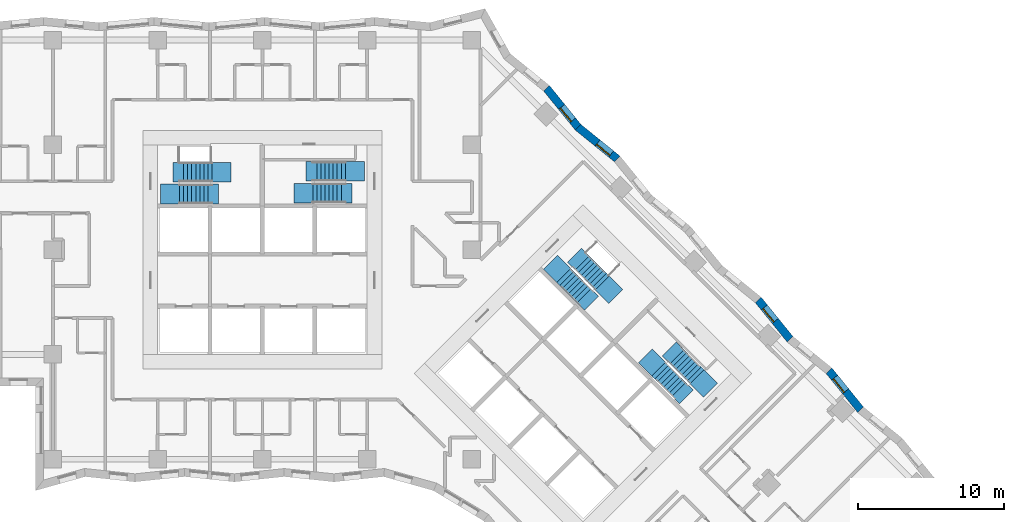
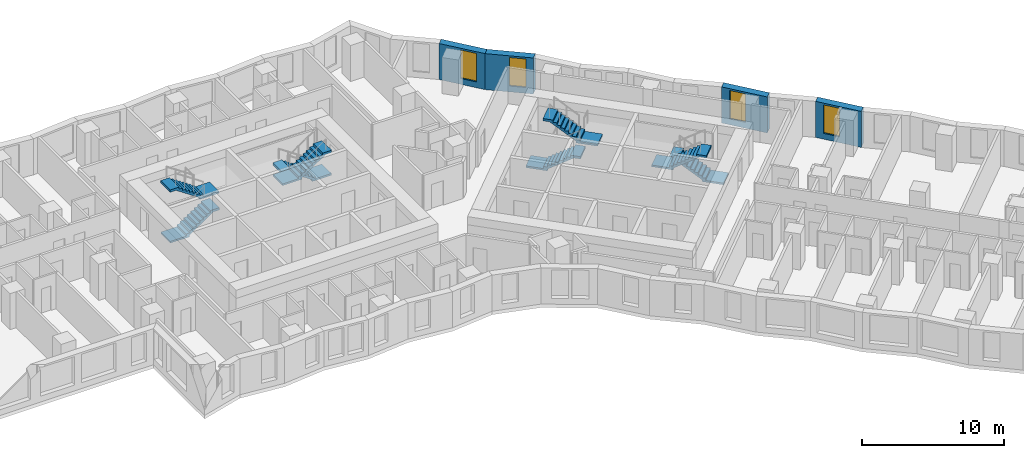
# One storey, part 11 of 13: 8 stair flights, 4 walls, 4 windows, 4 openings, 4 elements without a shape of their own.
"""IFC4 building model written with IfcOpenShell, lengths in metres."""

import ifcopenshell
import ifcopenshell.guid

model = None  # the IFC model being written
_history = None  # IfcOwnerHistory: only IFC2X3 demands one
_inside = {}  # id of a spatial element -> (the spatial element, [elements in it])
_under = {}  # id of a project, library or spatial element -> (it, [spatial elements below it])
_declared = {}  # id of a project -> (the project, [libraries it declares])
_typed = {}  # id of a type object -> (the type object, [elements of that type])
_made_of = {}  # id of a material, layer set ... -> (it, [elements and type objects made of it])


def new_model(schema):
    """Start an empty IFC model of exactly this schema.

    Asked for "IFC4X3", IfcOpenShell would pick the latest addendum, in which some entities
    have other attributes; the version numbers below select the first issue.
    IFC2X3 requires an IfcOwnerHistory on every rooted entity: one is made here for all.
    """
    global model, _history
    if schema == "IFC4X3":
        model = ifcopenshell.file(schema_version=(4, 3, 0, 0))
    else:
        model = ifcopenshell.file(schema=schema)
    _inside.clear()
    _under.clear()
    _declared.clear()
    _typed.clear()
    _made_of.clear()
    _history = None
    if model.schema == "IFC2X3":
        org = make("IfcOrganization", Name="unknown")
        user = make(
            "IfcPersonAndOrganization",
            ThePerson=make("IfcPerson", FamilyName="unknown"),
            TheOrganization=org,
        )
        app = make(
            "IfcApplication",
            ApplicationDeveloper=org,
            Version="unknown",
            ApplicationFullName="unknown",
            ApplicationIdentifier="unknown",
        )
        _history = make(
            "IfcOwnerHistory",
            OwningUser=user,
            OwningApplication=app,
            ChangeAction="ADDED",
            CreationDate=0,
        )
    return model


def make(cls, **values):
    """One entity of the class cls with the attributes given. An attribute that is None is left unset."""
    return model.create_entity(
        cls, **{name: value for name, value in values.items() if value is not None}
    )


def rooted(cls, **values):
    """An entity with a GlobalId (a new one), such as an element, a storey or a relation."""
    return make(cls, GlobalId=ifcopenshell.guid.new(), OwnerHistory=_history, **values)


def si_unit(unit_type, name, prefix=None):
    """IfcSIUnit, for example si_unit("LENGTHUNIT", "METRE", prefix="MILLI")."""
    return make("IfcSIUnit", UnitType=unit_type, Prefix=prefix, Name=name)


def assignment(units):
    """IfcUnitAssignment: the units of a project."""
    return None if units is None else make("IfcUnitAssignment", Units=units)


def point(xyz):
    """IfcCartesianPoint."""
    return None if xyz is None else make("IfcCartesianPoint", Coordinates=xyz)


def direction(xyz):
    """IfcDirection."""
    return None if xyz is None else make("IfcDirection", DirectionRatios=xyz)


def frame(location, z_axis=None, x_axis=None):
    """IfcAxis2Placement3D, a coordinate frame: its origin and axes. An axis left out is left unset."""
    return make(
        "IfcAxis2Placement3D",
        Location=point(location),
        Axis=direction(z_axis),
        RefDirection=direction(x_axis),
    )


def frame_2d(location, x_axis=None):
    """IfcAxis2Placement2D, a coordinate frame in the plane: its origin and x axis."""
    return make(
        "IfcAxis2Placement2D", Location=point(location), RefDirection=direction(x_axis)
    )


def origin():
    """The frame at (0, 0, 0) with its axes left unset."""
    return frame((0.0, 0.0, 0.0))


def place(relative_to, where):
    """IfcLocalPlacement: puts the frame where relative to a parent placement (None: the world)."""
    return make(
        "IfcLocalPlacement", PlacementRelTo=relative_to, RelativePlacement=where
    )


def context(
    kind, dimensions, precision=None, world=None, true_north=None, identifier=None
):
    """IfcGeometricRepresentationContext, for example the 3D "Model" context."""
    return make(
        "IfcGeometricRepresentationContext",
        ContextIdentifier=identifier,
        ContextType=kind,
        CoordinateSpaceDimension=dimensions,
        Precision=precision,
        WorldCoordinateSystem=world,
        TrueNorth=true_north,
    )


def subcontext(parent, identifier, kind, view, scale=None):
    """IfcGeometricRepresentationSubContext, for example "Body" below "Model"."""
    return make(
        "IfcGeometricRepresentationSubContext",
        ContextIdentifier=identifier,
        ContextType=kind,
        ParentContext=parent,
        TargetScale=scale,
        TargetView=view,
    )


def project(units=None, contexts=None):
    """IfcProject with its units and contexts."""
    return rooted(
        "IfcProject",
        Name="project",
        RepresentationContexts=contexts,
        UnitsInContext=assignment(units),
    )


def spatial(cls, under=None, at=None, **own):
    """A site, building, storey or space (cls), placed at a placement, below another one or the project."""
    s = rooted(cls, ObjectPlacement=at, **own)
    if under is not None:
        _under.setdefault(under.id(), (under, []))[1].append(s)
    return s


def polyline(points):
    """IfcPolyline through the points."""
    return make("IfcPolyline", Points=[point(p) for p in points])


def profile(cls, at=None, kind="AREA", **sizes):
    """A parametric profile (cls). Its sizes go by their IFC names, for example OverallWidth=200.0."""
    return make(cls, ProfileType=kind, Position=at, **sizes)


def rectangle(**sizes):
    """IfcRectangleProfileDef."""
    return profile("IfcRectangleProfileDef", **sizes)


def outline(outer, holes=None, kind="AREA"):
    """IfcArbitraryClosedProfileDef: a profile drawn as a closed curve; with holes, ...WithVoids."""
    if holes is None:
        return make("IfcArbitraryClosedProfileDef", ProfileType=kind, OuterCurve=outer)
    return make(
        "IfcArbitraryProfileDefWithVoids",
        ProfileType=kind,
        OuterCurve=outer,
        InnerCurves=holes,
    )


def extrude(swept, where, along, depth):
    """IfcExtrudedAreaSolid: the profile swept, set in the frame where, extruded along a direction by depth."""
    return make(
        "IfcExtrudedAreaSolid",
        SweptArea=swept,
        Position=where,
        ExtrudedDirection=direction(along),
        Depth=depth,
    )


def shape(context_of_items, identifier, shape_type, items):
    """IfcShapeRepresentation: the items that make up one representation, for example the "Body"."""
    return make(
        "IfcShapeRepresentation",
        ContextOfItems=context_of_items,
        RepresentationIdentifier=identifier,
        RepresentationType=shape_type,
        Items=items,
    )


def material(Name=None, Category=None):
    """IfcMaterial."""
    return make("IfcMaterial", Name=Name, Category=Category)


def layer(
    of_material, thickness, ventilated=None, Name=None, Category=None, Priority=None
):
    """IfcMaterialLayer: one layer of a wall or slab, of a material (None: an air gap)."""
    return make(
        "IfcMaterialLayer",
        Material=of_material,
        LayerThickness=thickness,
        IsVentilated=ventilated,
        Name=Name,
        Category=Category,
        Priority=Priority,
    )


def layer_set(layers, Name=None):
    """IfcMaterialLayerSet."""
    return make("IfcMaterialLayerSet", MaterialLayers=layers, LayerSetName=Name)


def made_of(thing, what):
    """Note that an element or type object is made of a material, layer set ...; save() writes the relation."""
    if what is not None:
        _made_of.setdefault(what.id(), (what, []))[1].append(thing)
    return thing


def type_object(cls, material=None, **own):
    """A type object (cls), such as IfcWallType, which elements share."""
    return made_of(rooted(cls, **own), material)


def element(
    cls,
    number,
    at=None,
    inside=None,
    cuts=None,
    type_object=None,
    material=None,
    context=None,
    identifier="Body",
    shape_type=None,
    held_by="IfcProductDefinitionShape",
    body=None,
    shapes=None,
    **own,
):
    """One element of the class cls, such as IfcWall. Its Tag is "e" and its number.

    at: its placement. inside: the storey or other place that contains it. cuts: it is an
    opening in that element (IfcRelVoidsElement). A single representation is given by context,
    identifier, shape_type and body (its items); several are given by shapes. held_by: the class
    of the entity that holds the representations. save() writes the other relations.
    """
    e = rooted(cls, Tag="e%d" % number, ObjectPlacement=at, **own)
    if body is not None:
        shapes = [shape(context, identifier, shape_type, body)]
    if shapes is not None:
        e.Representation = make(held_by, Representations=shapes)
    if inside is not None:
        _inside.setdefault(inside.id(), (inside, []))[1].append(e)
    if cuts is not None:
        rooted(
            "IfcRelVoidsElement", RelatingBuildingElement=cuts, RelatedOpeningElement=e
        )
    if type_object is not None:
        _typed.setdefault(type_object.id(), (type_object, []))[1].append(e)
    return made_of(e, material)


def fill(opening, filler):
    """IfcRelFillsElement: the door or window that sits in an opening."""
    return rooted(
        "IfcRelFillsElement",
        RelatingOpeningElement=opening,
        RelatedBuildingElement=filler,
    )


def aggregate(whole, parts):
    """IfcRelAggregates: a whole, such as a stair, and the parts it consists of."""
    return rooted("IfcRelAggregates", RelatingObject=whole, RelatedObjects=parts)


def save(model, path):
    """Write the relations noted so far, then the file.

    IfcRelAggregates (storeys below a building ...), IfcRelContainedInSpatialStructure (elements
    in a storey), IfcRelDefinesByType, IfcRelAssociatesMaterial and IfcRelDeclares: one each for
    every whole, place, type object, material and project.
    """
    for whole, parts in _under.values():
        aggregate(whole, parts)
    for where, things in _inside.values():
        rooted(
            "IfcRelContainedInSpatialStructure",
            RelatedElements=things,
            RelatingStructure=where,
        )
    for kind, things in _typed.values():
        rooted("IfcRelDefinesByType", RelatedObjects=things, RelatingType=kind)
    for what, things in _made_of.values():
        rooted("IfcRelAssociatesMaterial", RelatedObjects=things, RelatingMaterial=what)
    for by, libraries in _declared.values():
        rooted("IfcRelDeclares", RelatingContext=by, RelatedDefinitions=libraries)
    model.write(path)


model = new_model("IFC4")

# Units and contexts
model_context = context("Model", 3, precision=1e-05, world=origin(), true_north=direction((0.0, 1.0)))
body_context = subcontext(model_context, "Body", "Model", "MODEL_VIEW")
ifc_project = project(units=[si_unit("LENGTHUNIT", "METRE"), si_unit("AREAUNIT", "SQUARE_METRE"), si_unit("VOLUMEUNIT", "CUBIC_METRE"), si_unit("PLANEANGLEUNIT", "RADIAN"), si_unit("MASSUNIT", "GRAM", prefix="KILO")], contexts=[model_context])

# Site, building, storey
site_placement = place(None, origin())
site = spatial("IfcSite", under=ifc_project, at=site_placement, CompositionType="ELEMENT")
building_placement = place(site_placement, origin())
building = spatial("IfcBuilding", under=site, at=building_placement, Name="Windrow Commons", CompositionType="ELEMENT")
storey_placement = place(building_placement, frame((0.0, 0.0, 33.8)))
storey = spatial("IfcBuildingStorey", under=building, at=storey_placement, Name="L08", CompositionType="ELEMENT", Elevation=33.8)

# Wall, opening, window
ifc_material_1 = material(Name="Brick masonry, red clay brick", Category="masonry")
ifc_layer = layer(ifc_material_1, 0.55)
ifc_layer_set = layer_set([ifc_layer], Name="Brick facade wall 550")
wall_type = type_object("IfcWallType", Name="Brick facade wall 550", PredefinedType="SOLIDWALL", material=ifc_layer_set)
wall_1_placement = place(storey_placement, frame((105.9066, 46.5995, 0.0), z_axis=(0.0, 0.0, 1.0), x_axis=(-0.6292374191, 0.7772131435, 0.0)))
wall_1 = element("IfcWall", 1, at=wall_1_placement, inside=storey, type_object=wall_type, Name="Brick facade wall L08 12", PredefinedType="SOLIDWALL", context=body_context, shape_type="SweptSolid", body=[
    extrude(outline(polyline([(0.0289, -0.275), (3.4788, -0.275), (3.4209, 0.275), (-0.0289, 0.275), (0.0289, -0.275)])), origin(), (0.0, 0.0, 1.0), 3.1),
])
opening_1_placement = place(wall_1_placement, frame((1.6354, 0.0, 0.5)))
opening_1 = element("IfcOpeningElement", 2, at=opening_1_placement, cuts=wall_1, Name="Opening W7D", PredefinedType="OPENING", context=body_context, shape_type="SweptSolid", body=[
    extrude(rectangle(XDim=1.2, YDim=2.45, at=frame_2d((0.6, 1.225))), frame((0.0, 0.285, 0.0), z_axis=(0.0, -1.0, 0.0), x_axis=(1.0, 0.0, 0.0)), (0.0, 0.0, 1.0), 0.57),
])
ifc_material_2 = material(Name="Clear float glass in anodised aluminium frame", Category="aluminium")
window_type = type_object("IfcWindowType", Name="Window W7 notch 1200x2450", PartitioningType="SINGLE_PANEL", PredefinedType="WINDOW", material=ifc_material_2)
window_1_placement = place(opening_1_placement, origin())
window_1 = element("IfcWindow", 3, at=window_1_placement, inside=storey, type_object=window_type, Name="Window L08 12.1", OverallHeight=2.45, OverallWidth=1.2, PartitioningType="SINGLE_PANEL", PredefinedType="WINDOW", context=body_context, shape_type="SweptSolid", body=[
    extrude(rectangle(XDim=1.2, YDim=2.45, at=frame_2d((0.6, 1.225))), frame((0.0, 0.155, 0.0), z_axis=(0.0, -1.0, 0.0), x_axis=(1.0, 0.0, 0.0)), (0.0, 0.0, 1.0), 0.06),
])
fill(opening_1, window_1)

wall_2_placement = place(storey_placement, frame((101.0545, 51.4516, 0.0), z_axis=(0.0, 0.0, 1.0), x_axis=(-0.6292374191, 0.7772131435, 0.0)))
wall_2 = element("IfcWall", 4, at=wall_2_placement, inside=storey, type_object=wall_type, Name="Brick facade wall L08 14", PredefinedType="SOLIDWALL", context=body_context, shape_type="SweptSolid", body=[
    extrude(outline(polyline([(0.0289, -0.275), (3.4788, -0.275), (3.4209, 0.275), (-0.0289, 0.275), (0.0289, -0.275)])), origin(), (0.0, 0.0, 1.0), 3.1),
])
opening_2_placement = place(wall_2_placement, frame((1.6054, 0.0, 0.5)))
opening_2 = element("IfcOpeningElement", 5, at=opening_2_placement, cuts=wall_2, Name="Opening W7D", PredefinedType="OPENING", context=body_context, shape_type="SweptSolid", body=[
    extrude(rectangle(XDim=1.2, YDim=2.45, at=frame_2d((0.6, 1.225))), frame((0.0, 0.285, 0.0), z_axis=(0.0, -1.0, 0.0), x_axis=(1.0, 0.0, 0.0)), (0.0, 0.0, 1.0), 0.57),
])
window_2_placement = place(opening_2_placement, origin())
window_2 = element("IfcWindow", 6, at=window_2_placement, inside=storey, type_object=window_type, Name="Window L08 14.1", OverallHeight=2.45, OverallWidth=1.2, PartitioningType="SINGLE_PANEL", PredefinedType="WINDOW", context=body_context, shape_type="SweptSolid", body=[
    extrude(rectangle(XDim=1.2, YDim=2.45, at=frame_2d((0.6, 1.225))), frame((0.0, 0.155, 0.0), z_axis=(0.0, -1.0, 0.0), x_axis=(1.0, 0.0, 0.0)), (0.0, 0.0, 1.0), 0.06),
])
fill(opening_2, window_2)

wall_3_placement = place(storey_placement, frame((89.1795, 63.837, 0.0), z_axis=(0.0, 0.0, 1.0), x_axis=(-0.7772131435, 0.6292374191, 0.0)))
wall_3 = element("IfcWall", 7, at=wall_3_placement, inside=storey, type_object=wall_type, Name="Brick facade wall L08 19", PredefinedType="SOLIDWALL", context=body_context, shape_type="SweptSolid", body=[
    extrude(outline(polyline([(-0.0289, -0.275), (3.4209, -0.275), (3.4788, 0.275), (0.0289, 0.275), (-0.0289, -0.275)])), origin(), (0.0, 0.0, 1.0), 3.1),
])
opening_3_placement = place(wall_3_placement, frame((0.5344, 0.0, 0.5)))
opening_3 = element("IfcOpeningElement", 8, at=opening_3_placement, cuts=wall_3, Name="Opening W7D", PredefinedType="OPENING", context=body_context, shape_type="SweptSolid", body=[
    extrude(rectangle(XDim=1.2, YDim=2.45, at=frame_2d((0.6, 1.225))), frame((0.0, 0.285, 0.0), z_axis=(0.0, -1.0, 0.0), x_axis=(1.0, 0.0, 0.0)), (0.0, 0.0, 1.0), 0.57),
])
window_3_placement = place(opening_3_placement, origin())
window_3 = element("IfcWindow", 9, at=window_3_placement, inside=storey, type_object=window_type, Name="Window L08 19.1", OverallHeight=2.45, OverallWidth=1.2, PartitioningType="SINGLE_PANEL", PredefinedType="WINDOW", context=body_context, shape_type="SweptSolid", body=[
    extrude(rectangle(XDim=1.2, YDim=2.45, at=frame_2d((0.6, 1.225))), frame((0.0, 0.155, 0.0), z_axis=(0.0, -1.0, 0.0), x_axis=(1.0, 0.0, 0.0)), (0.0, 0.0, 1.0), 0.06),
])
fill(opening_3, window_3)

wall_4_placement = place(storey_placement, frame((86.4982, 66.0078, 0.0), z_axis=(0.0, 0.0, 1.0), x_axis=(-0.6292374191, 0.7772131435, 0.0)))
wall_4 = element("IfcWall", 10, at=wall_4_placement, inside=storey, type_object=wall_type, Name="Brick facade wall L08 20", PredefinedType="SOLIDWALL", context=body_context, shape_type="SweptSolid", body=[
    extrude(outline(polyline([(0.0289, -0.275), (3.4788, -0.275), (3.4209, 0.275), (-0.0289, 0.275), (0.0289, -0.275)])), origin(), (0.0, 0.0, 1.0), 3.1),
])
opening_4_placement = place(wall_4_placement, frame((0.6049, 0.0, 0.5)))
opening_4 = element("IfcOpeningElement", 11, at=opening_4_placement, cuts=wall_4, Name="Opening W7D", PredefinedType="OPENING", context=body_context, shape_type="SweptSolid", body=[
    extrude(rectangle(XDim=1.2, YDim=2.45, at=frame_2d((0.6, 1.225))), frame((0.0, 0.285, 0.0), z_axis=(0.0, -1.0, 0.0), x_axis=(1.0, 0.0, 0.0)), (0.0, 0.0, 1.0), 0.57),
])
window_4_placement = place(opening_4_placement, origin())
window_4 = element("IfcWindow", 12, at=window_4_placement, inside=storey, type_object=window_type, Name="Window L08 20.1", OverallHeight=2.45, OverallWidth=1.2, PartitioningType="SINGLE_PANEL", PredefinedType="WINDOW", context=body_context, shape_type="SweptSolid", body=[
    extrude(rectangle(XDim=1.2, YDim=2.45, at=frame_2d((0.6, 1.225))), frame((0.0, 0.155, 0.0), z_axis=(0.0, -1.0, 0.0), x_axis=(1.0, 0.0, 0.0)), (0.0, 0.0, 1.0), 0.06),
])
fill(opening_4, window_4)

# Stair, stair flights
ifc_material_3 = material(Name="Concrete C40/50", Category="concrete")
stair_type = type_object("IfcStairType", Name="Core stair", PredefinedType="HALF_TURN_STAIR", material=ifc_material_3)
placement = place(storey_placement, origin())
stair_1 = element("IfcStair", 13, at=placement, inside=storey, type_object=stair_type, Name="L08 Exit stair A1 core A", PredefinedType="HALF_TURN_STAIR")
ifc_material_4 = material(Name="Concrete C40/50", Category="concrete")
stair_flight_type = type_object("IfcStairFlightType", Name="Core stair flight", PredefinedType="STRAIGHT", material=ifc_material_4)
stair_flight_1_placement = place(storey_placement, frame((59.1, 61.425, 0.0), z_axis=(0.0, 0.0, 1.0), x_axis=(1.0, 0.0, 0.0)))
stair_flight_1 = element("IfcStairFlight", 14, at=stair_flight_1_placement, type_object=stair_flight_type, Name="ST-A1 flight 1", NumberOfRisers=9, NumberOfTreads=8, PredefinedType="STRAIGHT", RiserHeight=0.188888889, TreadLength=0.28, context=body_context, shape_type="SweptSolid", body=[
    extrude(outline(polyline([(-1.3, -0.15), (-1.3, 0.0), (0.0, 0.0), (0.0, 0.1889), (0.28, 0.1889), (0.28, 0.3778), (0.56, 0.3778), (0.56, 0.5667), (0.84, 0.5667), (0.84, 0.7556), (1.12, 0.7556), (1.12, 0.9444), (1.4, 0.9444), (1.4, 1.1333), (1.68, 1.1333), (1.68, 1.3222), (1.96, 1.3222), (1.96, 1.5111), (2.24, 1.5111), (2.69, 1.5111), (2.69, 1.3111), (2.24, 1.3111), (2.24, 1.3302), (0.2682, 0.0), (0.2682, -0.15), (-1.3, -0.15)])), frame((0.0, 0.675, 0.0), z_axis=(0.0, -1.0, 0.0), x_axis=(1.0, 0.0, 0.0)), (0.0, 0.0, 1.0), 1.35),
])
stair_flight_2_placement = place(storey_placement, frame((61.34, 62.925, 1.7), z_axis=(0.0, 0.0, 1.0), x_axis=(-1.0, 0.0, 0.0)))
stair_flight_2 = element("IfcStairFlight", 15, at=stair_flight_2_placement, type_object=stair_flight_type, Name="ST-A1 flight 2", NumberOfRisers=9, NumberOfTreads=8, PredefinedType="STRAIGHT", RiserHeight=0.188888889, TreadLength=0.28, context=body_context, shape_type="SweptSolid", body=[
    extrude(outline(polyline([(-1.3, -0.15), (-1.3, 0.0), (0.0, 0.0), (0.0, 0.1889), (0.28, 0.1889), (0.28, 0.3778), (0.56, 0.3778), (0.56, 0.5667), (0.84, 0.5667), (0.84, 0.7556), (1.12, 0.7556), (1.12, 0.9444), (1.4, 0.9444), (1.4, 1.1333), (1.68, 1.1333), (1.68, 1.3222), (1.96, 1.3222), (1.96, 1.5111), (2.24, 1.5111), (2.69, 1.5111), (2.69, 1.3111), (2.24, 1.3111), (2.24, 1.3302), (0.2682, 0.0), (0.2682, -0.15), (-1.3, -0.15)])), frame((0.0, 0.675, 0.0), z_axis=(0.0, -1.0, 0.0), x_axis=(1.0, 0.0, 0.0)), (0.0, 0.0, 1.0), 1.35),
])
aggregate(stair_1, [stair_flight_1, stair_flight_2])

stair_2 = element("IfcStair", 16, at=placement, inside=storey, type_object=stair_type, Name="L08 Exit stair A2 core A", PredefinedType="HALF_TURN_STAIR")
stair_flight_3_placement = place(storey_placement, frame((70.5, 62.98, 0.0), z_axis=(0.0, 0.0, 1.0), x_axis=(-1.0, 0.0, 0.0)))
stair_flight_3 = element("IfcStairFlight", 17, at=stair_flight_3_placement, type_object=stair_flight_type, Name="ST-A2 flight 1", NumberOfRisers=9, NumberOfTreads=8, PredefinedType="STRAIGHT", RiserHeight=0.188888889, TreadLength=0.28, context=body_context, shape_type="SweptSolid", body=[
    extrude(outline(polyline([(-1.3, -0.15), (-1.3, 0.0), (0.0, 0.0), (0.0, 0.1889), (0.28, 0.1889), (0.28, 0.3778), (0.56, 0.3778), (0.56, 0.5667), (0.84, 0.5667), (0.84, 0.7556), (1.12, 0.7556), (1.12, 0.9444), (1.4, 0.9444), (1.4, 1.1333), (1.68, 1.1333), (1.68, 1.3222), (1.96, 1.3222), (1.96, 1.5111), (2.24, 1.5111), (2.69, 1.5111), (2.69, 1.3111), (2.24, 1.3111), (2.24, 1.3302), (0.2682, 0.0), (0.2682, -0.15), (-1.3, -0.15)])), frame((0.0, 0.675, 0.0), z_axis=(0.0, -1.0, 0.0), x_axis=(1.0, 0.0, 0.0)), (0.0, 0.0, 1.0), 1.35),
])
stair_flight_4_placement = place(storey_placement, frame((68.26, 61.48, 1.7), z_axis=(0.0, 0.0, 1.0), x_axis=(1.0, 0.0, 0.0)))
stair_flight_4 = element("IfcStairFlight", 18, at=stair_flight_4_placement, type_object=stair_flight_type, Name="ST-A2 flight 2", NumberOfRisers=9, NumberOfTreads=8, PredefinedType="STRAIGHT", RiserHeight=0.188888889, TreadLength=0.28, context=body_context, shape_type="SweptSolid", body=[
    extrude(outline(polyline([(-1.3, -0.15), (-1.3, 0.0), (0.0, 0.0), (0.0, 0.1889), (0.28, 0.1889), (0.28, 0.3778), (0.56, 0.3778), (0.56, 0.5667), (0.84, 0.5667), (0.84, 0.7556), (1.12, 0.7556), (1.12, 0.9444), (1.4, 0.9444), (1.4, 1.1333), (1.68, 1.1333), (1.68, 1.3222), (1.96, 1.3222), (1.96, 1.5111), (2.24, 1.5111), (2.69, 1.5111), (2.69, 1.3111), (2.24, 1.3111), (2.24, 1.3302), (0.2682, 0.0), (0.2682, -0.15), (-1.3, -0.15)])), frame((0.0, 0.675, 0.0), z_axis=(0.0, -1.0, 0.0), x_axis=(1.0, 0.0, 0.0)), (0.0, 0.0, 1.0), 1.35),
])
aggregate(stair_2, [stair_flight_3, stair_flight_4])

stair_3 = element("IfcStair", 19, at=placement, inside=storey, type_object=stair_type, Name="L08 Exit stair B1 core B", PredefinedType="HALF_TURN_STAIR")
stair_flight_5_placement = place(storey_placement, frame((85.5109, 55.8249, 0.0), z_axis=(0.0, 0.0, 1.0), x_axis=(0.7071067812, -0.7071067812, 0.0)))
stair_flight_5 = element("IfcStairFlight", 20, at=stair_flight_5_placement, type_object=stair_flight_type, Name="ST-B1 flight 1", NumberOfRisers=9, NumberOfTreads=8, PredefinedType="STRAIGHT", RiserHeight=0.188888889, TreadLength=0.28, context=body_context, shape_type="SweptSolid", body=[
    extrude(outline(polyline([(-1.3, -0.15), (-1.3, 0.0), (0.0, 0.0), (0.0, 0.1889), (0.28, 0.1889), (0.28, 0.3778), (0.56, 0.3778), (0.56, 0.5667), (0.84, 0.5667), (0.84, 0.7556), (1.12, 0.7556), (1.12, 0.9444), (1.4, 0.9444), (1.4, 1.1333), (1.68, 1.1333), (1.68, 1.3222), (1.96, 1.3222), (1.96, 1.5111), (2.24, 1.5111), (2.69, 1.5111), (2.69, 1.3111), (2.24, 1.3111), (2.24, 1.3302), (0.2682, 0.0), (0.2682, -0.15), (-1.3, -0.15)])), frame((0.0, 0.675, 0.0), z_axis=(0.0, -1.0, 0.0), x_axis=(1.0, 0.0, 0.0)), (0.0, 0.0, 1.0), 1.35),
])
stair_flight_6_placement = place(storey_placement, frame((88.1555, 55.3017, 1.7), z_axis=(0.0, 0.0, 1.0), x_axis=(-0.7071067812, 0.7071067812, 0.0)))
stair_flight_6 = element("IfcStairFlight", 21, at=stair_flight_6_placement, type_object=stair_flight_type, Name="ST-B1 flight 2", NumberOfRisers=9, NumberOfTreads=8, PredefinedType="STRAIGHT", RiserHeight=0.188888889, TreadLength=0.28, context=body_context, shape_type="SweptSolid", body=[
    extrude(outline(polyline([(-1.3, -0.15), (-1.3, 0.0), (0.0, 0.0), (0.0, 0.1889), (0.28, 0.1889), (0.28, 0.3778), (0.56, 0.3778), (0.56, 0.5667), (0.84, 0.5667), (0.84, 0.7556), (1.12, 0.7556), (1.12, 0.9444), (1.4, 0.9444), (1.4, 1.1333), (1.68, 1.1333), (1.68, 1.3222), (1.96, 1.3222), (1.96, 1.5111), (2.24, 1.5111), (2.69, 1.5111), (2.69, 1.3111), (2.24, 1.3111), (2.24, 1.3302), (0.2682, 0.0), (0.2682, -0.15), (-1.3, -0.15)])), frame((0.0, 0.675, 0.0), z_axis=(0.0, -1.0, 0.0), x_axis=(1.0, 0.0, 0.0)), (0.0, 0.0, 1.0), 1.35),
])
aggregate(stair_3, [stair_flight_5, stair_flight_6])

stair_4 = element("IfcStair", 22, at=placement, inside=storey, type_object=stair_type, Name="L08 Exit stair B2 core B", PredefinedType="HALF_TURN_STAIR")
stair_flight_7_placement = place(storey_placement, frame((94.6715, 48.8635, 0.0), z_axis=(0.0, 0.0, 1.0), x_axis=(-0.7071067812, 0.7071067812, 0.0)))
stair_flight_7 = element("IfcStairFlight", 23, at=stair_flight_7_placement, type_object=stair_flight_type, Name="ST-B2 flight 1", NumberOfRisers=9, NumberOfTreads=8, PredefinedType="STRAIGHT", RiserHeight=0.188888889, TreadLength=0.28, context=body_context, shape_type="SweptSolid", body=[
    extrude(outline(polyline([(-1.3, -0.15), (-1.3, 0.0), (0.0, 0.0), (0.0, 0.1889), (0.28, 0.1889), (0.28, 0.3778), (0.56, 0.3778), (0.56, 0.5667), (0.84, 0.5667), (0.84, 0.7556), (1.12, 0.7556), (1.12, 0.9444), (1.4, 0.9444), (1.4, 1.1333), (1.68, 1.1333), (1.68, 1.3222), (1.96, 1.3222), (1.96, 1.5111), (2.24, 1.5111), (2.69, 1.5111), (2.69, 1.3111), (2.24, 1.3111), (2.24, 1.3302), (0.2682, 0.0), (0.2682, -0.15), (-1.3, -0.15)])), frame((0.0, 0.675, 0.0), z_axis=(0.0, -1.0, 0.0), x_axis=(1.0, 0.0, 0.0)), (0.0, 0.0, 1.0), 1.35),
])
stair_flight_8_placement = place(storey_placement, frame((92.0269, 49.3867, 1.7), z_axis=(0.0, 0.0, 1.0), x_axis=(0.7071067812, -0.7071067812, 0.0)))
stair_flight_8 = element("IfcStairFlight", 24, at=stair_flight_8_placement, type_object=stair_flight_type, Name="ST-B2 flight 2", NumberOfRisers=9, NumberOfTreads=8, PredefinedType="STRAIGHT", RiserHeight=0.188888889, TreadLength=0.28, context=body_context, shape_type="SweptSolid", body=[
    extrude(outline(polyline([(-1.3, -0.15), (-1.3, 0.0), (0.0, 0.0), (0.0, 0.1889), (0.28, 0.1889), (0.28, 0.3778), (0.56, 0.3778), (0.56, 0.5667), (0.84, 0.5667), (0.84, 0.7556), (1.12, 0.7556), (1.12, 0.9444), (1.4, 0.9444), (1.4, 1.1333), (1.68, 1.1333), (1.68, 1.3222), (1.96, 1.3222), (1.96, 1.5111), (2.24, 1.5111), (2.69, 1.5111), (2.69, 1.3111), (2.24, 1.3111), (2.24, 1.3302), (0.2682, 0.0), (0.2682, -0.15), (-1.3, -0.15)])), frame((0.0, 0.675, 0.0), z_axis=(0.0, -1.0, 0.0), x_axis=(1.0, 0.0, 0.0)), (0.0, 0.0, 1.0), 1.35),
])
aggregate(stair_4, [stair_flight_7, stair_flight_8])

save(model, "model.ifc")
